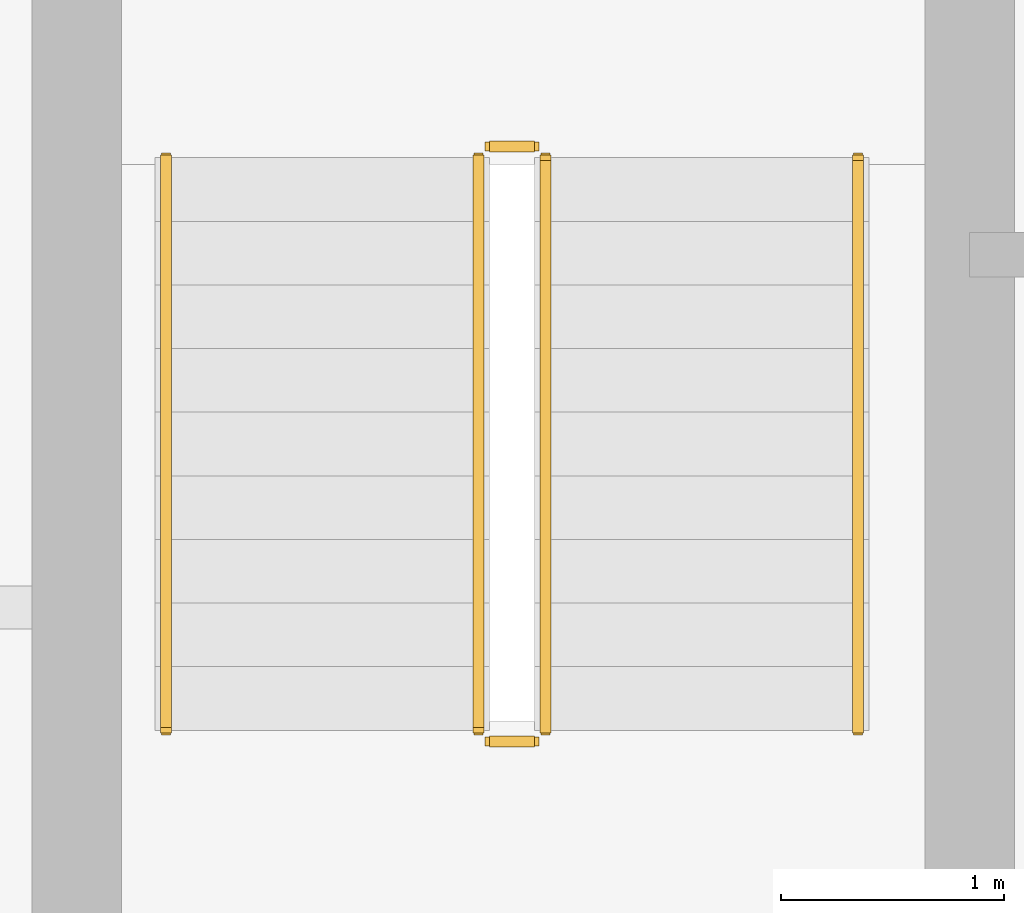
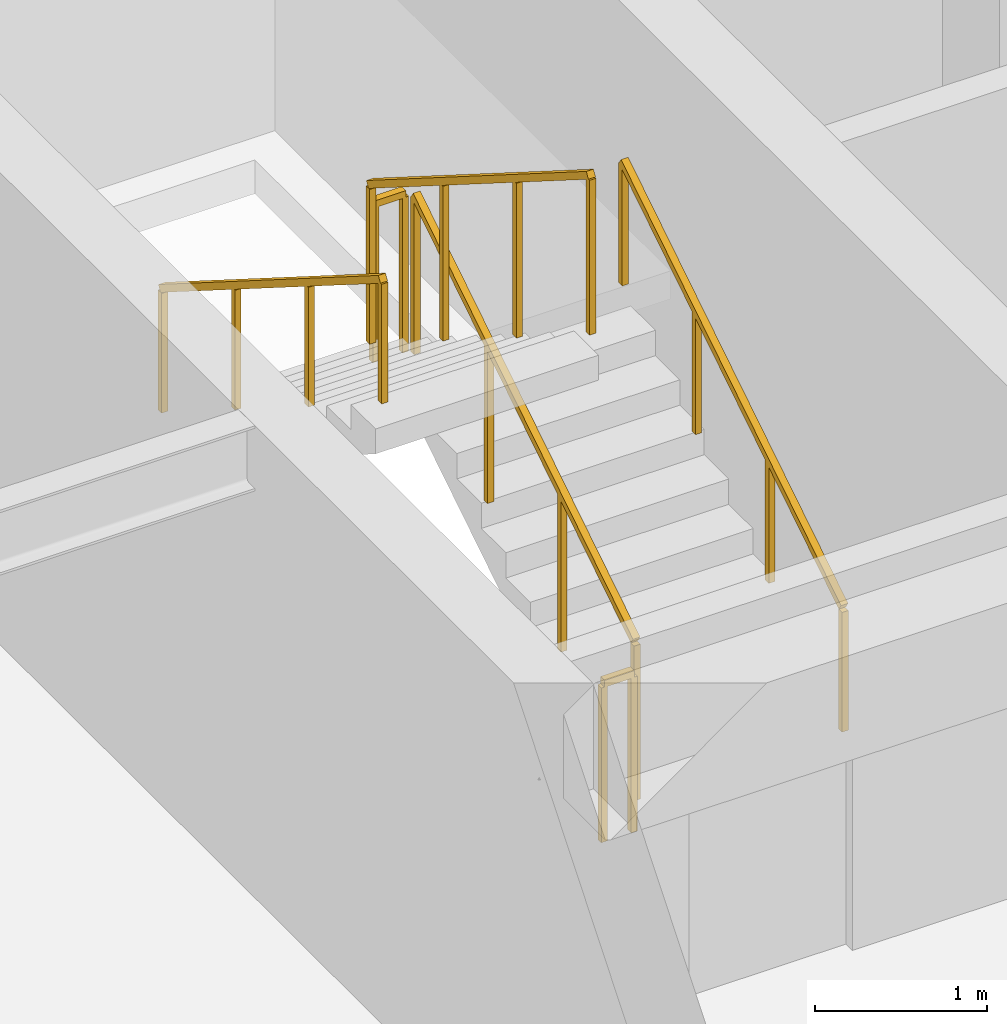
# One storey, part 20 of 22: 6 railings.
"""IFC4 building model written with IfcOpenShell, lengths in metres."""

import ifcopenshell
import ifcopenshell.guid

model = None  # the IFC model being written
_history = None  # IfcOwnerHistory: only IFC2X3 demands one
_inside = {}  # id of a spatial element -> (the spatial element, [elements in it])
_under = {}  # id of a project, library or spatial element -> (it, [spatial elements below it])
_declared = {}  # id of a project -> (the project, [libraries it declares])
_typed = {}  # id of a type object -> (the type object, [elements of that type])
_made_of = {}  # id of a material, layer set ... -> (it, [elements and type objects made of it])


def new_model(schema):
    """Start an empty IFC model of exactly this schema.

    Asked for "IFC4X3", IfcOpenShell would pick the latest addendum, in which some entities
    have other attributes; the version numbers below select the first issue.
    IFC2X3 requires an IfcOwnerHistory on every rooted entity: one is made here for all.
    """
    global model, _history
    if schema == "IFC4X3":
        model = ifcopenshell.file(schema_version=(4, 3, 0, 0))
    else:
        model = ifcopenshell.file(schema=schema)
    _inside.clear()
    _under.clear()
    _declared.clear()
    _typed.clear()
    _made_of.clear()
    _history = None
    if model.schema == "IFC2X3":
        org = make("IfcOrganization", Name="unknown")
        user = make(
            "IfcPersonAndOrganization",
            ThePerson=make("IfcPerson", FamilyName="unknown"),
            TheOrganization=org,
        )
        app = make(
            "IfcApplication",
            ApplicationDeveloper=org,
            Version="unknown",
            ApplicationFullName="unknown",
            ApplicationIdentifier="unknown",
        )
        _history = make(
            "IfcOwnerHistory",
            OwningUser=user,
            OwningApplication=app,
            ChangeAction="ADDED",
            CreationDate=0,
        )
    return model


def make(cls, **values):
    """One entity of the class cls with the attributes given. An attribute that is None is left unset."""
    return model.create_entity(
        cls, **{name: value for name, value in values.items() if value is not None}
    )


def rooted(cls, **values):
    """An entity with a GlobalId (a new one), such as an element, a storey or a relation."""
    return make(cls, GlobalId=ifcopenshell.guid.new(), OwnerHistory=_history, **values)


def si_unit(unit_type, name, prefix=None):
    """IfcSIUnit, for example si_unit("LENGTHUNIT", "METRE", prefix="MILLI")."""
    return make("IfcSIUnit", UnitType=unit_type, Prefix=prefix, Name=name)


def assignment(units):
    """IfcUnitAssignment: the units of a project."""
    return None if units is None else make("IfcUnitAssignment", Units=units)


def point(xyz):
    """IfcCartesianPoint."""
    return None if xyz is None else make("IfcCartesianPoint", Coordinates=xyz)


def direction(xyz):
    """IfcDirection."""
    return None if xyz is None else make("IfcDirection", DirectionRatios=xyz)


def frame(location, z_axis=None, x_axis=None):
    """IfcAxis2Placement3D, a coordinate frame: its origin and axes. An axis left out is left unset."""
    return make(
        "IfcAxis2Placement3D",
        Location=point(location),
        Axis=direction(z_axis),
        RefDirection=direction(x_axis),
    )


def frame_2d(location, x_axis=None):
    """IfcAxis2Placement2D, a coordinate frame in the plane: its origin and x axis."""
    return make(
        "IfcAxis2Placement2D", Location=point(location), RefDirection=direction(x_axis)
    )


def origin():
    """The frame at (0, 0, 0) with its axes left unset."""
    return frame((0.0, 0.0, 0.0))


def origin_2d():
    """The frame at (0, 0) in the plane with its x axis left unset."""
    return frame_2d((0.0, 0.0))


def place(relative_to, where):
    """IfcLocalPlacement: puts the frame where relative to a parent placement (None: the world)."""
    return make(
        "IfcLocalPlacement", PlacementRelTo=relative_to, RelativePlacement=where
    )


def context(
    kind, dimensions, precision=None, world=None, true_north=None, identifier=None
):
    """IfcGeometricRepresentationContext, for example the 3D "Model" context."""
    return make(
        "IfcGeometricRepresentationContext",
        ContextIdentifier=identifier,
        ContextType=kind,
        CoordinateSpaceDimension=dimensions,
        Precision=precision,
        WorldCoordinateSystem=world,
        TrueNorth=true_north,
    )


def subcontext(parent, identifier, kind, view, scale=None):
    """IfcGeometricRepresentationSubContext, for example "Body" below "Model"."""
    return make(
        "IfcGeometricRepresentationSubContext",
        ContextIdentifier=identifier,
        ContextType=kind,
        ParentContext=parent,
        TargetScale=scale,
        TargetView=view,
    )


def project(units=None, contexts=None):
    """IfcProject with its units and contexts."""
    return rooted(
        "IfcProject",
        Name="project",
        RepresentationContexts=contexts,
        UnitsInContext=assignment(units),
    )


def spatial(cls, under=None, at=None, **own):
    """A site, building, storey or space (cls), placed at a placement, below another one or the project."""
    s = rooted(cls, ObjectPlacement=at, **own)
    if under is not None:
        _under.setdefault(under.id(), (under, []))[1].append(s)
    return s


def profile(cls, at=None, kind="AREA", **sizes):
    """A parametric profile (cls). Its sizes go by their IFC names, for example OverallWidth=200.0."""
    return make(cls, ProfileType=kind, Position=at, **sizes)


def rectangle(**sizes):
    """IfcRectangleProfileDef."""
    return profile("IfcRectangleProfileDef", **sizes)


def extrude(swept, where, along, depth):
    """IfcExtrudedAreaSolid: the profile swept, set in the frame where, extruded along a direction by depth."""
    return make(
        "IfcExtrudedAreaSolid",
        SweptArea=swept,
        Position=where,
        ExtrudedDirection=direction(along),
        Depth=depth,
    )


def shape(context_of_items, identifier, shape_type, items):
    """IfcShapeRepresentation: the items that make up one representation, for example the "Body"."""
    return make(
        "IfcShapeRepresentation",
        ContextOfItems=context_of_items,
        RepresentationIdentifier=identifier,
        RepresentationType=shape_type,
        Items=items,
    )


def material(Name=None, Category=None):
    """IfcMaterial."""
    return make("IfcMaterial", Name=Name, Category=Category)


def made_of(thing, what):
    """Note that an element or type object is made of a material, layer set ...; save() writes the relation."""
    if what is not None:
        _made_of.setdefault(what.id(), (what, []))[1].append(thing)
    return thing


def type_object(cls, material=None, **own):
    """A type object (cls), such as IfcWallType, which elements share."""
    return made_of(rooted(cls, **own), material)


def element(
    cls,
    number,
    at=None,
    inside=None,
    cuts=None,
    type_object=None,
    material=None,
    context=None,
    identifier="Body",
    shape_type=None,
    held_by="IfcProductDefinitionShape",
    body=None,
    shapes=None,
    **own,
):
    """One element of the class cls, such as IfcWall. Its Tag is "e" and its number.

    at: its placement. inside: the storey or other place that contains it. cuts: it is an
    opening in that element (IfcRelVoidsElement). A single representation is given by context,
    identifier, shape_type and body (its items); several are given by shapes. held_by: the class
    of the entity that holds the representations. save() writes the other relations.
    """
    e = rooted(cls, Tag="e%d" % number, ObjectPlacement=at, **own)
    if body is not None:
        shapes = [shape(context, identifier, shape_type, body)]
    if shapes is not None:
        e.Representation = make(held_by, Representations=shapes)
    if inside is not None:
        _inside.setdefault(inside.id(), (inside, []))[1].append(e)
    if cuts is not None:
        rooted(
            "IfcRelVoidsElement", RelatingBuildingElement=cuts, RelatedOpeningElement=e
        )
    if type_object is not None:
        _typed.setdefault(type_object.id(), (type_object, []))[1].append(e)
    return made_of(e, material)


def aggregate(whole, parts):
    """IfcRelAggregates: a whole, such as a stair, and the parts it consists of."""
    return rooted("IfcRelAggregates", RelatingObject=whole, RelatedObjects=parts)


def save(model, path):
    """Write the relations noted so far, then the file.

    IfcRelAggregates (storeys below a building ...), IfcRelContainedInSpatialStructure (elements
    in a storey), IfcRelDefinesByType, IfcRelAssociatesMaterial and IfcRelDeclares: one each for
    every whole, place, type object, material and project.
    """
    for whole, parts in _under.values():
        aggregate(whole, parts)
    for where, things in _inside.values():
        rooted(
            "IfcRelContainedInSpatialStructure",
            RelatedElements=things,
            RelatingStructure=where,
        )
    for kind, things in _typed.values():
        rooted("IfcRelDefinesByType", RelatedObjects=things, RelatingType=kind)
    for what, things in _made_of.values():
        rooted("IfcRelAssociatesMaterial", RelatedObjects=things, RelatingMaterial=what)
    for by, libraries in _declared.values():
        rooted("IfcRelDeclares", RelatingContext=by, RelatedDefinitions=libraries)
    model.write(path)


model = new_model("IFC4")

# Units and contexts
model_context = context("Model", 3, precision=1e-05, world=origin(), true_north=direction((0.0, 1.0)))
body_context = subcontext(model_context, "Body", "Model", "MODEL_VIEW")
ifc_project = project(units=[si_unit("LENGTHUNIT", "METRE"), si_unit("AREAUNIT", "SQUARE_METRE"), si_unit("VOLUMEUNIT", "CUBIC_METRE"), si_unit("PLANEANGLEUNIT", "RADIAN"), si_unit("MASSUNIT", "GRAM", prefix="KILO")], contexts=[model_context])

# Site, building, storey
site_placement = place(None, origin())
site = spatial("IfcSite", under=ifc_project, at=site_placement, CompositionType="ELEMENT")
building_placement = place(site_placement, origin())
building = spatial("IfcBuilding", under=site, at=building_placement, Name="Sarneth Arch Tower", CompositionType="ELEMENT")
storey_placement = place(building_placement, frame((0.0, 0.0, 210.0)))
storey = spatial("IfcBuildingStorey", under=building, at=storey_placement, Name="L53", CompositionType="ELEMENT", Elevation=210.0)

# Railings
ifc_material_1 = material(Name="Brushed Stainless Steel 304 tubular handrail", Category="steel")
railing_type_1 = type_object("IfcRailingType", Name="RAIL-HANDRAIL-900", PredefinedType="HANDRAIL", material=ifc_material_1)
railing_1_placement = place(storey_placement, frame((40.5, 41.449951171875, 0.179931640625)))
element("IfcRailing", 1, at=railing_1_placement, inside=storey, type_object=railing_type_1, Name="L53 ST-1 stair handrail 1", PredefinedType="HANDRAIL", context=body_context, shape_type="SweptSolid", body=[
    extrude(rectangle(XDim=0.048095703125, YDim=0.048095703125, at=origin_2d()), frame((0.0, 0.0, 0.8759765625), z_axis=(0.0, 0.845465955043, 0.534029323973), x_axis=(-1.0, 0.0, 0.0)), (0.0, 0.0, 1.0), 3.03369140625),
    extrude(rectangle(XDim=0.0419921875, YDim=0.0419921875, at=origin_2d()), origin(), (0.0, 0.0, 1.0), 0.851806640625),
    extrude(rectangle(XDim=0.0419921875, YDim=0.0419921875, at=origin_2d()), frame((0.0, 0.85498046875, 0.5400390625)), (0.0, 0.0, 1.0), 0.851806640625),
    extrude(rectangle(XDim=0.0419921875, YDim=0.0419921875, at=origin_2d()), frame((0.0, 1.7099609375, 1.080078125)), (0.0, 0.0, 1.0), 0.851806640625),
    extrude(rectangle(XDim=0.0419921875, YDim=0.0419921875, at=origin_2d()), frame((0.0, 2.56494140625, 1.6201171875)), (0.0, 0.0, 1.0), 0.851806640625),
])
railing_2_placement = place(storey_placement, frame((37.39990234375, 44.014892578125, 1.97998046875)))
element("IfcRailing", 2, at=railing_2_placement, inside=storey, type_object=railing_type_1, Name="L53 ST-1 stair handrail 2", PredefinedType="HANDRAIL", context=body_context, shape_type="SweptSolid", body=[
    extrude(rectangle(XDim=0.048095703125, YDim=0.048095703125, at=origin_2d()), frame((0.0, 0.0, 0.8759765625), z_axis=(0.0, -0.845465955043, 0.534029323973), x_axis=(1.0, 0.0, 0.0)), (0.0, 0.0, 1.0), 3.03369140625),
    extrude(rectangle(XDim=0.0419921875, YDim=0.0419921875, at=origin_2d()), origin(), (0.0, 0.0, 1.0), 0.851806640625),
    extrude(rectangle(XDim=0.0419921875, YDim=0.0419921875, at=origin_2d()), frame((0.0, -0.85498046875, 0.5400390625)), (0.0, 0.0, 1.0), 0.851806640625),
    extrude(rectangle(XDim=0.0419921875, YDim=0.0419921875, at=origin_2d()), frame((0.0, -1.7099609375, 1.080078125)), (0.0, 0.0, 1.0), 0.851806640625),
    extrude(rectangle(XDim=0.0419921875, YDim=0.0419921875, at=origin_2d()), frame((0.0, -2.56494140625, 1.6201171875)), (0.0, 0.0, 1.0), 0.851806640625),
])
ifc_material_2 = material(Name="Painted Steel S275 stair well guard", Category="steel")
railing_type_2 = type_object("IfcRailingType", Name="RAIL-STAIR-GUARD", PredefinedType="GUARDRAIL", material=ifc_material_2)
railing_3_placement = place(storey_placement, frame((39.10009765625, 41.449951171875, 0.179931640625)))
element("IfcRailing", 3, at=railing_3_placement, inside=storey, type_object=railing_type_2, Name="L53 ST-1 stair guard 1", PredefinedType="GUARDRAIL", context=body_context, shape_type="SweptSolid", body=[
    extrude(rectangle(XDim=0.048095703125, YDim=0.048095703125, at=origin_2d()), frame((0.0, 0.0, 1.1259765625), z_axis=(0.0, 0.845465955043, 0.534029323973), x_axis=(-1.0, 0.0, 0.0)), (0.0, 0.0, 1.0), 3.03369140625),
    extrude(rectangle(XDim=0.0419921875, YDim=0.0419921875, at=origin_2d()), origin(), (0.0, 0.0, 1.0), 1.101806640625),
    extrude(rectangle(XDim=0.0419921875, YDim=0.0419921875, at=origin_2d()), frame((0.0, 0.85498046875, 0.5400390625)), (0.0, 0.0, 1.0), 1.101806640625),
    extrude(rectangle(XDim=0.0419921875, YDim=0.0419921875, at=origin_2d()), frame((0.0, 1.7099609375, 1.080078125)), (0.0, 0.0, 1.0), 1.101806640625),
    extrude(rectangle(XDim=0.0419921875, YDim=0.0419921875, at=origin_2d()), frame((0.0, 2.56494140625, 1.6201171875)), (0.0, 0.0, 1.0), 1.101806640625),
])
railing_4_placement = place(storey_placement, frame((39.050048828125, 44.06494140625, 1.800048828125)))
element("IfcRailing", 4, at=railing_4_placement, inside=storey, type_object=railing_type_2, Name="L53 ST-1 stair guard 2", PredefinedType="GUARDRAIL", context=body_context, shape_type="SweptSolid", body=[
    extrude(rectangle(XDim=0.048095703125, YDim=0.048095703125, at=origin_2d()), frame((0.0, 0.0, 1.1259765625), z_axis=(-1.0, 0.0, 0.0), x_axis=(0.0, -1.0, 0.0)), (0.0, 0.0, 1.0), 0.199951171875),
    extrude(rectangle(XDim=0.0419921875, YDim=0.0419921875, at=origin_2d()), origin(), (0.0, 0.0, 1.0), 1.101806640625),
    extrude(rectangle(XDim=0.0419921875, YDim=0.0419921875, at=origin_2d()), frame((-0.199951171875, 0.0, 0.0)), (0.0, 0.0, 1.0), 1.101806640625),
])
railing_5_placement = place(storey_placement, frame((38.800048828125, 44.014892578125, 1.97998046875)))
element("IfcRailing", 5, at=railing_5_placement, inside=storey, type_object=railing_type_2, Name="L53 ST-1 stair guard 3", PredefinedType="GUARDRAIL", context=body_context, shape_type="SweptSolid", body=[
    extrude(rectangle(XDim=0.048095703125, YDim=0.048095703125, at=origin_2d()), frame((0.0, 0.0, 1.1259765625), z_axis=(0.0, -0.845465955043, 0.534029323973), x_axis=(1.0, 0.0, 0.0)), (0.0, 0.0, 1.0), 3.03369140625),
    extrude(rectangle(XDim=0.0419921875, YDim=0.0419921875, at=origin_2d()), origin(), (0.0, 0.0, 1.0), 1.101806640625),
    extrude(rectangle(XDim=0.0419921875, YDim=0.0419921875, at=origin_2d()), frame((0.0, -0.85498046875, 0.5400390625)), (0.0, 0.0, 1.0), 1.101806640625),
    extrude(rectangle(XDim=0.0419921875, YDim=0.0419921875, at=origin_2d()), frame((0.0, -1.7099609375, 1.080078125)), (0.0, 0.0, 1.0), 1.101806640625),
    extrude(rectangle(XDim=0.0419921875, YDim=0.0419921875, at=origin_2d()), frame((0.0, -2.56494140625, 1.6201171875)), (0.0, 0.0, 1.0), 1.101806640625),
])
railing_6_placement = place(storey_placement, frame((39.050048828125, 41.39990234375, 0.0)))
element("IfcRailing", 6, at=railing_6_placement, inside=storey, type_object=railing_type_2, Name="L53 ST-1 stair guard 4", PredefinedType="GUARDRAIL", context=body_context, shape_type="SweptSolid", body=[
    extrude(rectangle(XDim=0.048095703125, YDim=0.048095703125, at=origin_2d()), frame((0.0, 0.0, 1.1259765625), z_axis=(-1.0, 0.0, 0.0), x_axis=(0.0, -1.0, 0.0)), (0.0, 0.0, 1.0), 0.199951171875),
    extrude(rectangle(XDim=0.0419921875, YDim=0.0419921875, at=origin_2d()), origin(), (0.0, 0.0, 1.0), 1.101806640625),
    extrude(rectangle(XDim=0.0419921875, YDim=0.0419921875, at=origin_2d()), frame((-0.199951171875, 0.0, 0.0)), (0.0, 0.0, 1.0), 1.101806640625),
])

save(model, "model.ifc")
